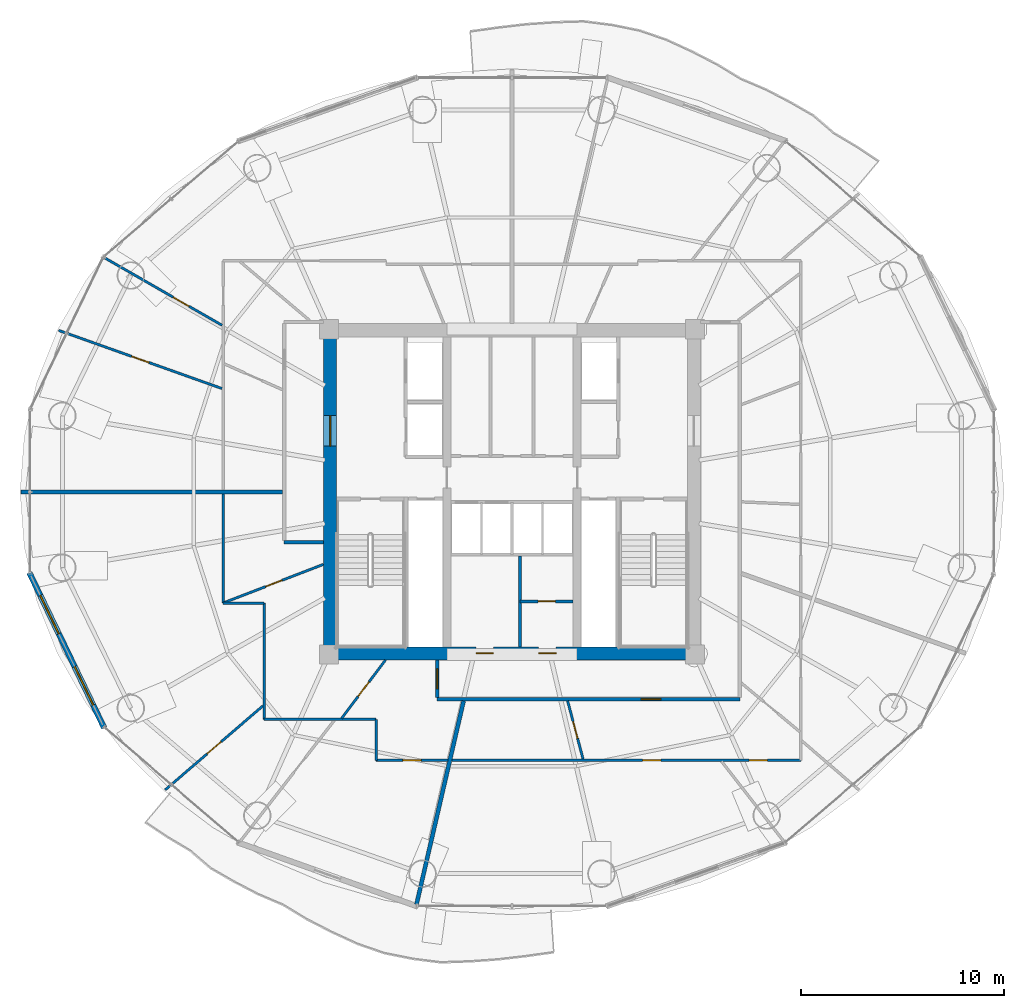
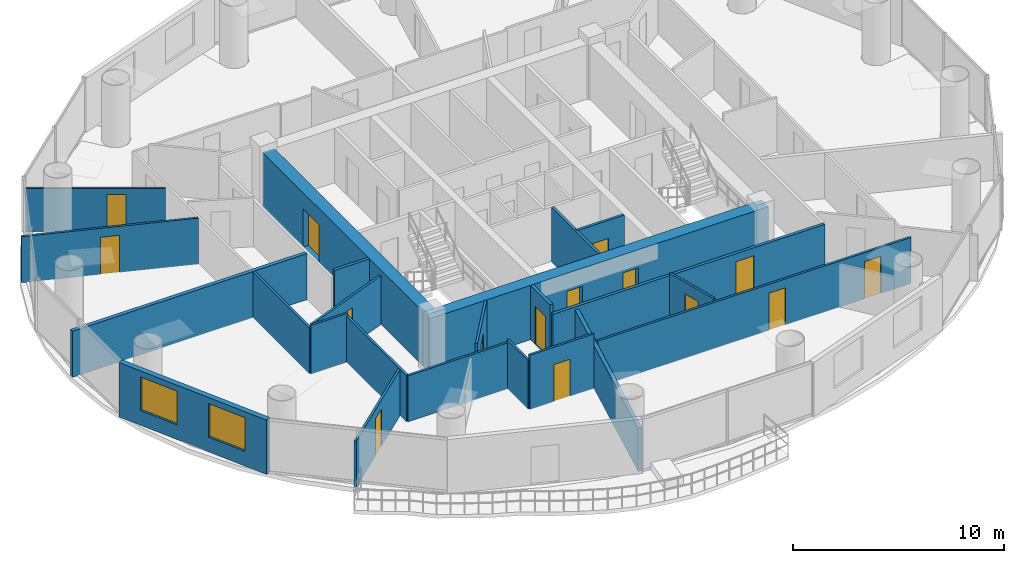
# One storey, part 20 of 26: 23 walls, 15 doors, 2 windows, 17 openings.
"""IFC4 building model written with IfcOpenShell, lengths in metres."""

from ifc_helpers import new_model, si_unit, direction, frame, frame_2d, origin, place, context, subcontext, project, spatial, rectangle, extrude, source, transform, mapped, material, layer, layer_set, type_object, element, fill, save


model = new_model("IFC4")

# Units and contexts
model_context = context("Model", 3, precision=1e-05, world=origin(), true_north=direction((-0.2419218956, 0.970295726276)))
body_context = subcontext(model_context, "Body", "Model", "MODEL_VIEW")
ifc_project = project(units=[si_unit("LENGTHUNIT", "METRE"), si_unit("AREAUNIT", "SQUARE_METRE"), si_unit("VOLUMEUNIT", "CUBIC_METRE"), si_unit("PLANEANGLEUNIT", "RADIAN"), si_unit("MASSUNIT", "GRAM", prefix="KILO")], contexts=[model_context])

# Site, building, storey
site_placement = place(None, origin())
site = spatial("IfcSite", under=ifc_project, at=site_placement, CompositionType="ELEMENT")
building_placement = place(site_placement, origin())
building = spatial("IfcBuilding", under=site, at=building_placement, Name="Cobrevalo Terracotta Tower", CompositionType="ELEMENT")
storey_placement = place(building_placement, frame((0.0, 0.0, 182.199951171875)))
storey = spatial("IfcBuildingStorey", under=building, at=storey_placement, Name="L48", CompositionType="ELEMENT", Elevation=182.199951171875)

# Wall, openings, doors
ifc_material_1 = material(Name="Concrete C55", Category="concrete")
ifc_layer_1 = layer(ifc_material_1, 0.64990234375)
ifc_layer_set_1 = layer_set([ifc_layer_1], Name="Concrete C55")
wall_type_1 = type_object("IfcWallType", Name="Core shear wall 650 mm Concrete C55", PredefinedType="SHEAR", material=ifc_layer_set_1)
wall_1_placement = place(storey_placement, frame((28.72509765625, 18.85009765625, 0.0), z_axis=(0.0, 0.0, 1.0), x_axis=(1.0, 0.0, 0.0)))
wall_1 = element("IfcWall", 1, at=wall_1_placement, inside=storey, type_object=wall_type_1, Name="L48 south core shear wall", PredefinedType="SHEAR", context=body_context, shape_type="SweptSolid", body=[
    extrude(rectangle(XDim=18.5498046875, YDim=0.64990234375, at=frame_2d((9.27490234375, 0.0))), origin(), (0.0, 0.0, 1.0), 3.150146484375),
])
opening_1_placement = place(wall_1_placement, frame((7.510009765625, 0.0, 0.0)))
opening_1 = element("IfcOpeningElement", 2, at=opening_1_placement, cuts=wall_1, Name="Opening ID-22", PredefinedType="OPENING", context=body_context, shape_type="SweptSolid", body=[
    extrude(rectangle(XDim=0.85009765625, YDim=2.10009765625, at=frame_2d((0.425048828125, 1.050048828125))), frame((0.0, 0.3349609375, 0.0), z_axis=(0.0, -1.0, 0.0), x_axis=(1.0, 0.0, 0.0)), (0.0, 0.0, 1.0), 0.669921875),
])
opening_2_placement = place(wall_1_placement, frame((10.590087890625, 0.0, 0.0)))
opening_2 = element("IfcOpeningElement", 3, at=opening_2_placement, cuts=wall_1, Name="Opening ID-22", PredefinedType="OPENING", context=body_context, shape_type="SweptSolid", body=[
    extrude(rectangle(XDim=0.85009765625, YDim=2.10009765625, at=frame_2d((0.425048828125, 1.050048828125))), frame((0.0, 0.3349609375, 0.0), z_axis=(0.0, -1.0, 0.0), x_axis=(1.0, 0.0, 0.0)), (0.0, 0.0, 1.0), 0.669921875),
])
ifc_material_2 = material(Name="Powder-coated steel", Category="steel")
door_type_1 = type_object("IfcDoorType", Name="Riser shaft & meter closet fire access door 850x2100 EI 60", OperationType="NOTDEFINED", PredefinedType="DOOR", material=ifc_material_2)
shared_shape_1 = source(origin(), body_context, "Body", "SweptSolid", [
    extrude(rectangle(XDim=0.85009765625, YDim=2.10009765625, at=frame_2d((0.425048828125, 1.050048828125))), frame((0.0, 0.02490234375, 0.0), z_axis=(0.0, -1.0, 0.0), x_axis=(1.0, 0.0, 0.0)), (0.0, 0.0, 1.0), 0.050048828125),
])
door_1_placement = place(opening_1_placement, origin())
door_1 = element("IfcDoor", 4, at=door_1_placement, inside=storey, type_object=door_type_1, Name="L48 core south plant door Floor AHU Mechanical Plant", OperationType="SINGLE_SWING_RIGHT", OverallHeight=2.10009765625, OverallWidth=0.85009765625, PredefinedType="DOOR", context=body_context, shape_type="MappedRepresentation", body=[
    mapped(shared_shape_1, transform((0.0, 0.0, 0.0), scale=1.0)),
])
fill(opening_1, door_1)
door_2_placement = place(opening_2_placement, origin())
door_2 = element("IfcDoor", 5, at=door_2_placement, inside=storey, type_object=door_type_1, Name="L48 core south plant door Sprinkler Valve Plant", OperationType="SINGLE_SWING_RIGHT", OverallHeight=2.10009765625, OverallWidth=0.85009765625, PredefinedType="DOOR", context=body_context, shape_type="MappedRepresentation", body=[
    mapped(shared_shape_1, transform((0.0, 0.0, 0.0), scale=1.0)),
])
fill(opening_2, door_2)

# Wall, opening, door
wall_2_placement = place(storey_placement, frame((29.050048828125, 19.175048828125, 0.0), z_axis=(0.0, 0.0, 1.0), x_axis=(0.0, 1.0, 0.0)))
wall_2 = element("IfcWall", 6, at=wall_2_placement, inside=storey, type_object=wall_type_1, Name="L48 west core shear wall", PredefinedType="SHEAR", context=body_context, shape_type="SweptSolid", body=[
    extrude(rectangle(XDim=15.25, YDim=0.64990234375, at=frame_2d((7.625, 0.0))), origin(), (0.0, 0.0, 1.0), 3.150146484375),
])
opening_3_placement = place(wall_2_placement, frame((9.875, 0.0, 0.0)))
opening_3 = element("IfcOpeningElement", 7, at=opening_3_placement, cuts=wall_2, Name="Opening ID-14", PredefinedType="OPENING", context=body_context, shape_type="SweptSolid", body=[
    extrude(rectangle(XDim=1.5, YDim=2.199951171875, at=frame_2d((0.75, 1.10009765625))), frame((0.0, 0.3349609375, 0.0), z_axis=(0.0, -1.0, 0.0), x_axis=(1.0, 0.0, 0.0)), (0.0, 0.0, 1.0), 0.669921875),
])
ifc_material_3 = material(Name="Galvanized fire-rated steel", Category="steel")
door_type_2 = type_object("IfcDoorType", Name="Core cross-lobby double fire door 1500x2200 EI 90", OperationType="NOTDEFINED", PredefinedType="DOOR", material=ifc_material_3)
shared_shape_2 = source(origin(), body_context, "Body", "SweptSolid", [
    extrude(rectangle(XDim=1.5, YDim=2.199951171875, at=frame_2d((0.75, 1.10009765625))), frame((0.0, 0.02490234375, 0.0), z_axis=(0.0, -1.0, 0.0), x_axis=(1.0, 0.0, 0.0)), (0.0, 0.0, 1.0), 0.050048828125),
])
door_3_placement = place(opening_3_placement, origin())
door_3 = element("IfcDoor", 8, at=door_3_placement, inside=storey, type_object=door_type_2, Name="L48 west firefighting lobby entrance door", OperationType="DOUBLE_DOOR_SINGLE_SWING", OverallHeight=2.199951171875, OverallWidth=1.5, PredefinedType="DOOR", context=body_context, shape_type="MappedRepresentation", body=[
    mapped(shared_shape_2, transform((0.0, 0.0, 0.0), scale=1.0)),
])
fill(opening_3, door_3)

# Wall
ifc_material_4 = material(Name="Gypsum board on steel stud", Category="steel")
ifc_layer_2 = layer(ifc_material_4, 0.159912109375)
ifc_layer_set_2 = layer_set([ifc_layer_2], Name="Gypsum board on steel stud")
wall_type_2 = type_object("IfcWallType", Name="Fire-rated corridor acoustic partition wall 160 mm", PredefinedType="PARTITIONING", material=ifc_layer_set_2)
wall_3_placement = place(storey_placement, frame((26.794921875, 24.320068359375, 0.0), z_axis=(0.0, 0.0, 1.0), x_axis=(1.0, 0.0, 0.0)))
element("IfcWall", 9, at=wall_3_placement, inside=storey, type_object=wall_type_2, Name="L48 interior partition IW-L48-COR-WS-CAP", PredefinedType="PARTITIONING", context=body_context, shape_type="SweptSolid", body=[
    extrude(rectangle(XDim=1.93017578125, YDim=0.159912109375, at=frame_2d((0.965087890625, 0.0))), origin(), (0.0, 0.0, 1.0), 3.150146484375),
])

# Wall, opening, door
wall_4_placement = place(storey_placement, frame((34.320068359375, 16.594970703125, 0.0), z_axis=(0.0, 0.0, 1.0), x_axis=(1.0, 0.0, 0.0)))
wall_4 = element("IfcWall", 10, at=wall_4_placement, inside=storey, type_object=wall_type_2, Name="L48 interior partition IW-L48-COR-S", PredefinedType="PARTITIONING", context=body_context, shape_type="SweptSolid", body=[
    extrude(rectangle(XDim=14.885009765625, YDim=0.159912109375, at=frame_2d((7.4423828125, 0.0))), origin(), (0.0, 0.0, 1.0), 2.666015625),
])
opening_4_placement = place(wall_4_placement, frame((10.02587890625, 0.0, 0.0)))
opening_4 = element("IfcOpeningElement", 11, at=opening_4_placement, cuts=wall_4, Name="Opening ID-05", PredefinedType="OPENING", context=body_context, shape_type="SweptSolid", body=[
    extrude(rectangle(XDim=0.97998046875, YDim=2.199951171875, at=frame_2d((0.489990234375, 1.10009765625))), frame((0.0, 0.08984375, 0.0), z_axis=(0.0, -1.0, 0.0), x_axis=(1.0, 0.0, 0.0)), (0.0, 0.0, 1.0), 0.179931640625),
])
ifc_material_5 = material(Name="Solid hardwood timber", Category="wood")
door_type_3 = type_object("IfcDoorType", Name="Residence entrance fire-rated acoustic timber door 980x2200 EI 60", OperationType="NOTDEFINED", PredefinedType="DOOR", material=ifc_material_5)
shared_shape_3 = source(origin(), body_context, "Body", "SweptSolid", [
    extrude(rectangle(XDim=0.97998046875, YDim=2.199951171875, at=frame_2d((0.489990234375, 1.10009765625))), frame((0.0, 0.02490234375, 0.0), z_axis=(0.0, -1.0, 0.0), x_axis=(1.0, 0.0, 0.0)), (0.0, 0.0, 1.0), 0.050048828125),
])
door_4_placement = place(opening_4_placement, frame((0.97998046875, 0.0, 0.0), z_axis=(0.0, 0.0, 1.0), x_axis=(-1.0, 0.0, 0.0)))
door_4 = element("IfcDoor", 12, at=door_4_placement, inside=storey, type_object=door_type_3, Name="Flat L48D fire-rated apartment entrance door", OperationType="SINGLE_SWING_LEFT", OverallHeight=2.199951171875, OverallWidth=0.97998046875, PredefinedType="DOOR", context=body_context, shape_type="MappedRepresentation", body=[
    mapped(shared_shape_3, transform((0.0, 0.0, 0.0), scale=1.0)),
])
fill(opening_4, door_4)

wall_5_placement = place(storey_placement, frame((34.320068359375, 16.675048828125, 0.0), z_axis=(0.0, 0.0, 1.0), x_axis=(0.0, 1.0, 0.0)))
wall_5 = element("IfcWall", 13, at=wall_5_placement, inside=storey, type_object=wall_type_2, Name="L48 interior partition IW-L48-COR-SW-CAP", PredefinedType="PARTITIONING", context=body_context, shape_type="SweptSolid", body=[
    extrude(rectangle(XDim=1.849853515625, YDim=0.159912109375, at=frame_2d((0.9248046875, 0.0))), origin(), (0.0, 0.0, 1.0), 3.150146484375),
])
opening_5_placement = place(wall_5_placement, frame((0.43505859375, 0.0, 0.0)))
opening_5 = element("IfcOpeningElement", 14, at=opening_5_placement, cuts=wall_5, Name="Opening ID-05", PredefinedType="OPENING", context=body_context, shape_type="SweptSolid", body=[
    extrude(rectangle(XDim=0.97998046875, YDim=2.199951171875, at=frame_2d((0.489990234375, 1.10009765625))), frame((0.0, 0.08984375, 0.0), z_axis=(0.0, -1.0, 0.0), x_axis=(1.0, 0.0, 0.0)), (0.0, 0.0, 1.0), 0.179931640625),
])
door_5_placement = place(opening_5_placement, origin())
door_5 = element("IfcDoor", 15, at=door_5_placement, inside=storey, type_object=door_type_3, Name="Flat L48C fire-rated apartment entrance door", OperationType="SINGLE_SWING_LEFT", OverallHeight=2.199951171875, OverallWidth=0.97998046875, PredefinedType="DOOR", context=body_context, shape_type="MappedRepresentation", body=[
    mapped(shared_shape_3, transform((0.0, 0.0, 0.0), scale=1.0)),
])
fill(opening_5, door_5)

# Walls
ifc_material_6 = material(Name="Autoclaved aerated concrete block", Category="concrete")
ifc_layer_3 = layer(ifc_material_6, 0.199951171875)
ifc_layer_set_3 = layer_set([ifc_layer_3], Name="Autoclaved aerated concrete block")
wall_type_3 = type_object("IfcWallType", Name="Fire-rated stair, shaft & demising masonry wall 200 mm", PredefinedType="PARTITIONING", material=ifc_layer_set_3)
wall_6_placement = place(storey_placement, frame((26.715087890625, 26.800048828125, 0.0), z_axis=(0.0, 0.0, 1.0), x_axis=(-1.0, 0.0, 0.0)))
element("IfcWall", 16, at=wall_6_placement, inside=storey, type_object=wall_type_3, Name="L48 interior partition IW-L48-DEM-3", PredefinedType="PARTITIONING", context=body_context, shape_type="SweptSolid", body=[
    extrude(rectangle(XDim=12.85498046875, YDim=0.199951171875, at=frame_2d((6.427490234375, 0.0))), origin(), (0.0, 0.0, 1.0), 2.666015625),
])
wall_7_placement = place(storey_placement, frame((35.619873046875, 16.514892578125, 0.0), z_axis=(0.0, 0.0, 1.0), x_axis=(-0.225473598067, -0.974249278457, 0.0)))
element("IfcWall", 17, at=wall_7_placement, inside=storey, type_object=wall_type_3, Name="L48 interior partition IW-L48-DEM-4", PredefinedType="PARTITIONING", context=body_context, shape_type="SweptSolid", body=[
    extrude(rectangle(XDim=10.27783203125, YDim=0.199951171875, at=frame_2d((5.138916015625, 0.0))), origin(), (0.0, 0.0, 1.0), 2.5),
])

# Wall, openings, windows
ifc_layer_4 = layer(ifc_material_6, 0.280029296875)
ifc_layer_set_4 = layer_set([ifc_layer_4], Name="Autoclaved aerated concrete block")
wall_type_4 = type_object("IfcWallType", Name="Insulated tower spandrel & pier wall 280 mm with terracotta rainscreen", PredefinedType="SOLIDWALL", material=ifc_layer_set_4)
wall_8_placement = place(storey_placement, frame((14.259765625, 22.820068359375, 0.0), z_axis=(0.0, 0.0, 1.0), x_axis=(0.434209827226, -0.900811759437, 0.0)))
wall_8 = element("IfcWall", 18, at=wall_8_placement, inside=storey, type_object=wall_type_4, Name="L48 terracotta rainscreen pier wall S09", PredefinedType="SOLIDWALL", context=body_context, shape_type="SweptSolid", body=[
    extrude(rectangle(XDim=8.4716796875, YDim=0.280029296875, at=frame_2d((4.23583984375, 0.0))), origin(), (0.0, 0.0, 1.0), 3.150146484375),
])
opening_6_placement = place(wall_8_placement, frame((1.2373046875, 0.0, 0.85009765625)))
opening_6 = element("IfcOpeningElement", 19, at=opening_6_placement, cuts=wall_8, Name="Opening WN-10", PredefinedType="OPENING", context=body_context, shape_type="SweptSolid", body=[
    extrude(rectangle(XDim=2.10009765625, YDim=1.949951171875, at=frame_2d((1.050048828125, 0.97509765625))), frame((0.0, 0.14990234375, 0.0), z_axis=(0.0, -1.0, 0.0), x_axis=(1.0, 0.0, 0.0)), (0.0, 0.0, 1.0), 0.300048828125),
])
opening_7_placement = place(wall_8_placement, frame((5.13427734375, 0.0, 0.85009765625)))
opening_7 = element("IfcOpeningElement", 20, at=opening_7_placement, cuts=wall_8, Name="Opening WN-10", PredefinedType="OPENING", context=body_context, shape_type="SweptSolid", body=[
    extrude(rectangle(XDim=2.10009765625, YDim=1.949951171875, at=frame_2d((1.050048828125, 0.97509765625))), frame((0.0, 0.14990234375, 0.0), z_axis=(0.0, -1.0, 0.0), x_axis=(1.0, 0.0, 0.0)), (0.0, 0.0, 1.0), 0.300048828125),
])
ifc_material_7 = material(Name="Solar-control low-E double glazing", Category="glass")
window_type = type_object("IfcWindowType", Name="Wide panoramic low-E aluminium window 2100x1950", PartitioningType="SINGLE_PANEL", PredefinedType="WINDOW", material=ifc_material_7)
shared_shape_4 = source(origin(), body_context, "Body", "SweptSolid", [
    extrude(rectangle(XDim=2.10009765625, YDim=1.949951171875, at=frame_2d((1.050048828125, 0.97509765625))), frame((0.0, 0.030029296875, 0.0), z_axis=(0.0, -1.0, 0.0), x_axis=(1.0, 0.0, 0.0)), (0.0, 0.0, 1.0), 0.06005859375),
])
window_1_placement = place(opening_6_placement, origin())
window_1 = element("IfcWindow", 21, at=window_1_placement, inside=storey, type_object=window_type, Name="L48 suite window S09A", OverallHeight=1.949951171875, OverallWidth=2.10009765625, PartitioningType="SINGLE_PANEL", PredefinedType="WINDOW", context=body_context, shape_type="MappedRepresentation", body=[
    mapped(shared_shape_4, transform((0.0, 0.0, 0.0), scale=1.0)),
])
fill(opening_6, window_1)
window_2_placement = place(opening_7_placement, origin())
window_2 = element("IfcWindow", 22, at=window_2_placement, inside=storey, type_object=window_type, Name="L48 suite window S09B", OverallHeight=1.949951171875, OverallWidth=2.10009765625, PartitioningType="SINGLE_PANEL", PredefinedType="WINDOW", context=body_context, shape_type="MappedRepresentation", body=[
    mapped(shared_shape_4, transform((0.0, 0.0, 0.0), scale=1.0)),
])
fill(opening_7, window_2)

# Wall
ifc_layer_5 = layer(ifc_material_6, 0.139892578125)
ifc_layer_set_5 = layer_set([ifc_layer_5], Name="Autoclaved aerated concrete block")
wall_type_5 = type_object("IfcWallType", Name="Moisture-resistant wet-room & core service partition 140 mm", PredefinedType="PARTITIONING", material=ifc_layer_set_5)
wall_9_placement = place(storey_placement, frame((38.39990234375, 19.175048828125, 0.0), z_axis=(0.0, 0.0, 1.0), x_axis=(0.0, 1.0, 0.0)))
element("IfcWall", 23, at=wall_9_placement, inside=storey, type_object=wall_type_5, Name="L48 interior partition IW-L48-KVS-L1", PredefinedType="PARTITIONING", context=body_context, shape_type="SweptSolid", body=[
    extrude(rectangle(XDim=4.46484375, YDim=0.139892578125, at=frame_2d((2.232421875, 0.0))), origin(), (0.0, 0.0, 1.0), 3.150146484375),
])

# Wall, opening, door
wall_10_placement = place(storey_placement, frame((38.39990234375, 21.407470703125, 0.0), z_axis=(0.0, 0.0, 1.0), x_axis=(1.0, 0.0, 0.0)))
wall_10 = element("IfcWall", 24, at=wall_10_placement, inside=storey, type_object=wall_type_5, Name="L48 interior partition IW-L48-KVS-L2", PredefinedType="PARTITIONING", context=body_context, shape_type="SweptSolid", body=[
    extrude(rectangle(XDim=2.610107421875, YDim=0.139892578125, at=frame_2d((1.30517578125, 0.0))), origin(), (0.0, 0.0, 1.0), 3.150146484375),
])
opening_8_placement = place(wall_10_placement, frame((0.8798828125, 0.0, 0.0)))
opening_8 = element("IfcOpeningElement", 25, at=opening_8_placement, cuts=wall_10, Name="Opening ID-22", PredefinedType="OPENING", context=body_context, shape_type="SweptSolid", body=[
    extrude(rectangle(XDim=0.85009765625, YDim=2.10009765625, at=frame_2d((0.425048828125, 1.050048828125))), frame((0.0, 0.080078125, 0.0), z_axis=(0.0, -1.0, 0.0), x_axis=(1.0, 0.0, 0.0)), (0.0, 0.0, 1.0), 0.159912109375),
])
door_6_placement = place(opening_8_placement, origin())
door_6 = element("IfcDoor", 26, at=door_6_placement, inside=storey, type_object=door_type_1, Name="L48 core KVS-L2 inner door", OperationType="SINGLE_SWING_LEFT", OverallHeight=2.10009765625, OverallWidth=0.85009765625, PredefinedType="DOOR", context=body_context, shape_type="MappedRepresentation", body=[
    mapped(shared_shape_1, transform((0.0, 0.0, 0.0), scale=1.0)),
])
fill(opening_8, door_6)

ifc_layer_6 = layer(ifc_material_4, 0.1201171875)
ifc_layer_set_6 = layer_set([ifc_layer_6], Name="Gypsum board on steel stud")
wall_type_6 = type_object("IfcWallType", Name="Residential internal acoustic stud partition 120 mm", PredefinedType="PARTITIONING", material=ifc_layer_set_6)
wall_11_placement = place(storey_placement, frame((23.7412109375, 34.98876953125, 0.0), z_axis=(0.0, 0.0, 1.0), x_axis=(-0.867167953258, 0.498015803808, 0.0)))
wall_11 = element("IfcWall", 27, at=wall_11_placement, inside=storey, type_object=wall_type_6, Name="L48 interior partition IW-L48-U2-ORAD1", PredefinedType="PARTITIONING", context=body_context, shape_type="SweptSolid", body=[
    extrude(rectangle(XDim=6.64990234375, YDim=0.1201171875, at=frame_2d((3.324951171875, 0.0))), origin(), (0.0, 0.0, 1.0), 2.5),
])
opening_9_placement = place(wall_11_placement, frame((1.872802734375, 0.0, 0.0)))
opening_9 = element("IfcOpeningElement", 28, at=opening_9_placement, cuts=wall_11, Name="Opening ID-12", PredefinedType="OPENING", context=body_context, shape_type="SweptSolid", body=[
    extrude(rectangle(XDim=0.89990234375, YDim=2.14990234375, at=frame_2d((0.449951171875, 1.074951171875))), frame((0.0, 0.070068359375, 0.0), z_axis=(0.0, -1.0, 0.0), x_axis=(1.0, 0.0, 0.0)), (0.0, 0.0, 1.0), 0.14013671875),
])
ifc_material_8 = material(Name="Engineered timber", Category="wood")
door_type_4 = type_object("IfcDoorType", Name="Internal residence & suite timber door 900x2150", OperationType="NOTDEFINED", PredefinedType="DOOR", material=ifc_material_8)
shared_shape_5 = source(origin(), body_context, "Body", "SweptSolid", [
    extrude(rectangle(XDim=0.89990234375, YDim=2.14990234375, at=frame_2d((0.449951171875, 1.074951171875))), frame((0.0, 0.02490234375, 0.0), z_axis=(0.0, -1.0, 0.0), x_axis=(1.0, 0.0, 0.0)), (0.0, 0.0, 1.0), 0.050048828125),
])
door_7_placement = place(opening_9_placement, origin())
door_7 = element("IfcDoor", 29, at=door_7_placement, inside=storey, type_object=door_type_4, Name="Flat L48B Master Bedroom internal door", OperationType="SINGLE_SWING_RIGHT", OverallHeight=2.14990234375, OverallWidth=0.89990234375, PredefinedType="DOOR", context=body_context, shape_type="MappedRepresentation", body=[
    mapped(shared_shape_5, transform((0.0, 0.0, 0.0), scale=1.0)),
])
fill(opening_9, door_7)

wall_12_placement = place(storey_placement, frame((23.736572265625, 31.8779296875, 0.0), z_axis=(0.0, 0.0, 1.0), x_axis=(-0.942071057968, 0.335413359512, 0.0)))
wall_12 = element("IfcWall", 30, at=wall_12_placement, inside=storey, type_object=wall_type_6, Name="L48 interior partition IW-L48-U2-ORAD2M1", PredefinedType="PARTITIONING", context=body_context, shape_type="SweptSolid", body=[
    extrude(rectangle(XDim=8.530029296875, YDim=0.1201171875, at=frame_2d((4.26513671875, 0.0))), origin(), (0.0, 0.0, 1.0), 2.666015625),
])
opening_10_placement = place(wall_12_placement, frame((3.815185546875, 0.0, 0.0)))
opening_10 = element("IfcOpeningElement", 31, at=opening_10_placement, cuts=wall_12, Name="Opening ID-12", PredefinedType="OPENING", context=body_context, shape_type="SweptSolid", body=[
    extrude(rectangle(XDim=0.89990234375, YDim=2.14990234375, at=frame_2d((0.449951171875, 1.074951171875))), frame((0.0, 0.070068359375, 0.0), z_axis=(0.0, -1.0, 0.0), x_axis=(1.0, 0.0, 0.0)), (0.0, 0.0, 1.0), 0.14013671875),
])
door_8_placement = place(opening_10_placement, origin())
door_8 = element("IfcDoor", 32, at=door_8_placement, inside=storey, type_object=door_type_4, Name="Flat L48B Penthouse Family Lounge internal door", OperationType="SINGLE_SWING_RIGHT", OverallHeight=2.14990234375, OverallWidth=0.89990234375, PredefinedType="DOOR", context=body_context, shape_type="MappedRepresentation", body=[
    mapped(shared_shape_5, transform((0.0, 0.0, 0.0), scale=1.0)),
])
fill(opening_10, door_8)

wall_13_placement = place(storey_placement, frame((34.842041015625, 13.594970703125, 0.0), z_axis=(0.0, 0.0, 1.0), x_axis=(-1.0, 0.0, 0.0)))
wall_13 = element("IfcWall", 33, at=wall_13_placement, inside=storey, type_object=wall_type_6, Name="L48 interior partition IW-L48-U3-RING0_0", PredefinedType="PARTITIONING", context=body_context, shape_type="SweptSolid", body=[
    extrude(rectangle(XDim=3.52197265625, YDim=0.1201171875, at=frame_2d((1.760986328125, 0.0))), origin(), (0.0, 0.0, 1.0), 3.150146484375),
])
opening_11_placement = place(wall_13_placement, frame((1.31103515625, 0.0, 0.0)))
opening_11 = element("IfcOpeningElement", 34, at=opening_11_placement, cuts=wall_13, Name="Opening ID-12", PredefinedType="OPENING", context=body_context, shape_type="SweptSolid", body=[
    extrude(rectangle(XDim=0.89990234375, YDim=2.14990234375, at=frame_2d((0.449951171875, 1.074951171875))), frame((0.0, 0.070068359375, 0.0), z_axis=(0.0, -1.0, 0.0), x_axis=(1.0, 0.0, 0.0)), (0.0, 0.0, 1.0), 0.14013671875),
])
door_9_placement = place(opening_11_placement, origin())
door_9 = element("IfcDoor", 35, at=door_9_placement, inside=storey, type_object=door_type_4, Name="Flat L48C Penthouse Family Lounge internal door", OperationType="SINGLE_SWING_RIGHT", OverallHeight=2.14990234375, OverallWidth=0.89990234375, PredefinedType="DOOR", context=body_context, shape_type="MappedRepresentation", body=[
    mapped(shared_shape_5, transform((0.0, 0.0, 0.0), scale=1.0)),
])
fill(opening_11, door_9)

# Walls
wall_14_placement = place(storey_placement, frame((31.320068359375, 13.594970703125, 0.0), z_axis=(0.0, 0.0, 1.0), x_axis=(0.0, 1.0, 0.0)))
element("IfcWall", 36, at=wall_14_placement, inside=storey, type_object=wall_type_6, Name="L48 interior partition IW-L48-U3-RING1_0", PredefinedType="PARTITIONING", context=body_context, shape_type="SweptSolid", body=[
    extrude(rectangle(XDim=2.010009765625, YDim=0.1201171875, at=frame_2d((1.0048828125, 0.0))), origin(), (0.0, 0.0, 1.0), 2.824951171875),
])
wall_15_placement = place(storey_placement, frame((31.320068359375, 15.60498046875, 0.0), z_axis=(0.0, 0.0, 1.0), x_axis=(-1.0, 0.0, 0.0)))
element("IfcWall", 37, at=wall_15_placement, inside=storey, type_object=wall_type_6, Name="L48 interior partition IW-L48-U3-RING2_0", PredefinedType="PARTITIONING", context=body_context, shape_type="SweptSolid", body=[
    extrude(rectangle(XDim=5.51513671875, YDim=0.1201171875, at=frame_2d((2.757568359375, 0.0))), origin(), (0.0, 0.0, 1.0), 2.666015625),
])
wall_16_placement = place(storey_placement, frame((25.804931640625, 15.60498046875, 0.0), z_axis=(0.0, 0.0, 1.0), x_axis=(0.0, 1.0, 0.0)))
element("IfcWall", 38, at=wall_16_placement, inside=storey, type_object=wall_type_6, Name="L48 interior partition IW-L48-U3-RING3_0", PredefinedType="PARTITIONING", context=body_context, shape_type="SweptSolid", body=[
    extrude(rectangle(XDim=5.715087890625, YDim=0.1201171875, at=frame_2d((2.857421875, 0.0))), origin(), (0.0, 0.0, 1.0), 2.666015625),
])
wall_17_placement = place(storey_placement, frame((25.804931640625, 21.320068359375, 0.0), z_axis=(0.0, 0.0, 1.0), x_axis=(-1.0, 0.0, 0.0)))
element("IfcWall", 39, at=wall_17_placement, inside=storey, type_object=wall_type_6, Name="L48 interior partition IW-L48-U3-RING4_0", PredefinedType="PARTITIONING", context=body_context, shape_type="SweptSolid", body=[
    extrude(rectangle(XDim=2.010009765625, YDim=0.1201171875, at=frame_2d((1.0048828125, 0.0))), origin(), (0.0, 0.0, 1.0), 2.824951171875),
])
wall_18_placement = place(storey_placement, frame((23.794921875, 21.320068359375, 0.0), z_axis=(0.0, 0.0, 1.0), x_axis=(0.0, 1.0, 0.0)))
element("IfcWall", 40, at=wall_18_placement, inside=storey, type_object=wall_type_6, Name="L48 interior partition IW-L48-U3-RING5_0", PredefinedType="PARTITIONING", context=body_context, shape_type="SweptSolid", body=[
    extrude(rectangle(XDim=5.3779296875, YDim=0.1201171875, at=frame_2d((2.68896484375, 0.0))), origin(), (0.0, 0.0, 1.0), 2.666015625),
])

# Wall, opening, door
wall_19_placement = place(storey_placement, frame((25.758056640625, 16.27783203125, 0.0), z_axis=(0.0, 0.0, 1.0), x_axis=(-0.758374994665, -0.651818508073, 0.0)))
wall_19 = element("IfcWall", 41, at=wall_19_placement, inside=storey, type_object=wall_type_6, Name="L48 interior partition IW-L48-U3-ORAD1", PredefinedType="PARTITIONING", context=body_context, shape_type="SweptSolid", body=[
    extrude(rectangle(XDim=6.358154296875, YDim=0.1201171875, at=frame_2d((3.17919921875, 0.0))), origin(), (0.0, 0.0, 1.0), 2.666015625),
])
opening_12_placement = place(wall_19_placement, frame((2.72900390625, 0.0, 0.0)))
opening_12 = element("IfcOpeningElement", 42, at=opening_12_placement, cuts=wall_19, Name="Opening ID-12", PredefinedType="OPENING", context=body_context, shape_type="SweptSolid", body=[
    extrude(rectangle(XDim=0.89990234375, YDim=2.14990234375, at=frame_2d((0.449951171875, 1.074951171875))), frame((0.0, 0.070068359375, 0.0), z_axis=(0.0, -1.0, 0.0), x_axis=(1.0, 0.0, 0.0)), (0.0, 0.0, 1.0), 0.14013671875),
])
door_10_placement = place(opening_12_placement, frame((0.89990234375, 0.0, 0.0), z_axis=(0.0, 0.0, 1.0), x_axis=(-1.0, 0.0, 0.0)))
door_10 = element("IfcDoor", 43, at=door_10_placement, inside=storey, type_object=door_type_4, Name="Flat L48C Penthouse Living and Dining Room internal door", OperationType="SINGLE_SWING_RIGHT", OverallHeight=2.14990234375, OverallWidth=0.89990234375, PredefinedType="DOOR", context=body_context, shape_type="MappedRepresentation", body=[
    mapped(shared_shape_5, transform((0.0, 0.0, 0.0), scale=1.0)),
])
fill(opening_12, door_10)

wall_20_placement = place(storey_placement, frame((28.72314453125, 23.229248046875, 0.0), z_axis=(0.0, 0.0, 1.0), x_axis=(-0.933262385607, -0.359195378048, 0.0)))
wall_20 = element("IfcWall", 44, at=wall_20_placement, inside=storey, type_object=wall_type_6, Name="L48 interior partition IW-L48-U3-IRAD1", PredefinedType="PARTITIONING", context=body_context, shape_type="SweptSolid", body=[
    extrude(rectangle(XDim=5.21875, YDim=0.1201171875, at=frame_2d((2.609375, 0.0))), origin(), (0.0, 0.0, 1.0), 2.824951171875),
])
opening_13_placement = place(wall_20_placement, frame((2.17919921875, 0.0, 0.0)))
opening_13 = element("IfcOpeningElement", 45, at=opening_13_placement, cuts=wall_20, Name="Opening ID-19", PredefinedType="OPENING", context=body_context, shape_type="SweptSolid", body=[
    extrude(rectangle(XDim=0.860107421875, YDim=2.14990234375, at=frame_2d((0.43017578125, 1.074951171875))), frame((0.0, 0.070068359375, 0.0), z_axis=(0.0, -1.0, 0.0), x_axis=(1.0, 0.0, 0.0)), (0.0, 0.0, 1.0), 0.14013671875),
])
ifc_material_9 = material(Name="Moisture-sealed timber", Category="wood")
door_type_5 = type_object("IfcDoorType", Name="Suite bathroom internal timber door 860x2150", OperationType="NOTDEFINED", PredefinedType="DOOR", material=ifc_material_9)
shared_shape_6 = source(origin(), body_context, "Body", "SweptSolid", [
    extrude(rectangle(XDim=0.860107421875, YDim=2.14990234375, at=frame_2d((0.43017578125, 1.074951171875))), frame((0.0, 0.02490234375, 0.0), z_axis=(0.0, -1.0, 0.0), x_axis=(1.0, 0.0, 0.0)), (0.0, 0.0, 1.0), 0.050048828125),
])
door_11_placement = place(opening_13_placement, frame((0.860107421875, 0.0, 0.0), z_axis=(0.0, 0.0, 1.0), x_axis=(-1.0, 0.0, 0.0)))
door_11 = element("IfcDoor", 46, at=door_11_placement, inside=storey, type_object=door_type_5, Name="Flat L48C Primary Bathroom internal door", OperationType="SINGLE_SWING_LEFT", OverallHeight=2.14990234375, OverallWidth=0.860107421875, PredefinedType="DOOR", context=body_context, shape_type="MappedRepresentation", body=[
    mapped(shared_shape_6, transform((0.0, 0.0, 0.0), scale=1.0)),
])
fill(opening_13, door_11)

wall_21_placement = place(storey_placement, frame((31.776611328125, 18.52490234375, 0.0), z_axis=(0.0, 0.0, 1.0), x_axis=(-0.601054484551, -0.799208049635, 0.0)))
wall_21 = element("IfcWall", 47, at=wall_21_placement, inside=storey, type_object=wall_type_6, Name="L48 interior partition IW-L48-U3-IRAD2", PredefinedType="PARTITIONING", context=body_context, shape_type="SweptSolid", body=[
    extrude(rectangle(XDim=3.591552734375, YDim=0.1201171875, at=frame_2d((1.7958984375, 0.0))), origin(), (0.0, 0.0, 1.0), 3.150146484375),
])
opening_14_placement = place(wall_21_placement, frame((1.345703125, 0.0, 0.0)))
opening_14 = element("IfcOpeningElement", 48, at=opening_14_placement, cuts=wall_21, Name="Opening ID-12", PredefinedType="OPENING", context=body_context, shape_type="SweptSolid", body=[
    extrude(rectangle(XDim=0.89990234375, YDim=2.14990234375, at=frame_2d((0.449951171875, 1.074951171875))), frame((0.0, 0.070068359375, 0.0), z_axis=(0.0, -1.0, 0.0), x_axis=(1.0, 0.0, 0.0)), (0.0, 0.0, 1.0), 0.14013671875),
])
door_12_placement = place(opening_14_placement, frame((0.89990234375, 0.0, 0.0), z_axis=(0.0, 0.0, 1.0), x_axis=(-1.0, 0.0, 0.0)))
door_12 = element("IfcDoor", 49, at=door_12_placement, inside=storey, type_object=door_type_4, Name="Flat L48C Reception Hallway internal door", OperationType="SINGLE_SWING_LEFT", OverallHeight=2.14990234375, OverallWidth=0.89990234375, PredefinedType="DOOR", context=body_context, shape_type="MappedRepresentation", body=[
    mapped(shared_shape_5, transform((0.0, 0.0, 0.0), scale=1.0)),
])
fill(opening_14, door_12)

# Wall, openings, doors
wall_22_placement = place(storey_placement, frame((52.205078125, 13.594970703125, 0.0), z_axis=(0.0, 0.0, 1.0), x_axis=(-1.0, 0.0, 0.0)))
wall_22 = element("IfcWall", 50, at=wall_22_placement, inside=storey, type_object=wall_type_6, Name="L48 interior partition IW-L48-U4-RING1_0", PredefinedType="PARTITIONING", context=body_context, shape_type="SweptSolid", body=[
    extrude(rectangle(XDim=17.1591796875, YDim=0.1201171875, at=frame_2d((8.57958984375, 0.0))), origin(), (0.0, 0.0, 1.0), 2.666015625),
])
opening_15_placement = place(wall_22_placement, frame((6.878662109375, 0.0, 0.0)))
opening_15 = element("IfcOpeningElement", 51, at=opening_15_placement, cuts=wall_22, Name="Opening ID-12", PredefinedType="OPENING", context=body_context, shape_type="SweptSolid", body=[
    extrude(rectangle(XDim=0.89990234375, YDim=2.14990234375, at=frame_2d((0.449951171875, 1.074951171875))), frame((0.0, 0.070068359375, 0.0), z_axis=(0.0, -1.0, 0.0), x_axis=(1.0, 0.0, 0.0)), (0.0, 0.0, 1.0), 0.14013671875),
])
opening_16_placement = place(wall_22_placement, frame((1.6396484375, 0.0, 0.0)))
opening_16 = element("IfcOpeningElement", 52, at=opening_16_placement, cuts=wall_22, Name="Opening ID-12", PredefinedType="OPENING", context=body_context, shape_type="SweptSolid", body=[
    extrude(rectangle(XDim=0.89990234375, YDim=2.14990234375, at=frame_2d((0.449951171875, 1.074951171875))), frame((0.0, 0.070068359375, 0.0), z_axis=(0.0, -1.0, 0.0), x_axis=(1.0, 0.0, 0.0)), (0.0, 0.0, 1.0), 0.14013671875),
])
door_13_placement = place(opening_15_placement, origin())
door_13 = element("IfcDoor", 53, at=door_13_placement, inside=storey, type_object=door_type_4, Name="Flat L48D Penthouse Living and Dining Room internal door", OperationType="SINGLE_SWING_LEFT", OverallHeight=2.14990234375, OverallWidth=0.89990234375, PredefinedType="DOOR", context=body_context, shape_type="MappedRepresentation", body=[
    mapped(shared_shape_5, transform((0.0, 0.0, 0.0), scale=1.0)),
])
fill(opening_15, door_13)
door_14_placement = place(opening_16_placement, origin())
door_14 = element("IfcDoor", 54, at=door_14_placement, inside=storey, type_object=door_type_4, Name="Flat L48D Master Bedroom internal door", OperationType="SINGLE_SWING_RIGHT", OverallHeight=2.14990234375, OverallWidth=0.89990234375, PredefinedType="DOOR", context=body_context, shape_type="MappedRepresentation", body=[
    mapped(shared_shape_5, transform((0.0, 0.0, 0.0), scale=1.0)),
])
fill(opening_16, door_14)

# Wall, opening, door
wall_23_placement = place(storey_placement, frame((40.73486328125, 16.514892578125, 0.0), z_axis=(0.0, 0.0, 1.0), x_axis=(0.256989915822, -0.966414084731, 0.0)))
wall_23 = element("IfcWall", 55, at=wall_23_placement, inside=storey, type_object=wall_type_6, Name="L48 interior partition IW-L48-U4-IRAD1", PredefinedType="PARTITIONING", context=body_context, shape_type="SweptSolid", body=[
    extrude(rectangle(XDim=2.959228515625, YDim=0.1201171875, at=frame_2d((1.4794921875, 0.0))), origin(), (0.0, 0.0, 1.0), 2.824951171875),
])
opening_17_placement = place(wall_23_placement, frame((1.0498046875, 0.0, 0.0)))
opening_17 = element("IfcOpeningElement", 56, at=opening_17_placement, cuts=wall_23, Name="Opening ID-19", PredefinedType="OPENING", context=body_context, shape_type="SweptSolid", body=[
    extrude(rectangle(XDim=0.860107421875, YDim=2.14990234375, at=frame_2d((0.43017578125, 1.074951171875))), frame((0.0, 0.070068359375, 0.0), z_axis=(0.0, -1.0, 0.0), x_axis=(1.0, 0.0, 0.0)), (0.0, 0.0, 1.0), 0.14013671875),
])
door_15_placement = place(opening_17_placement, frame((0.860107421875, 0.0, 0.0), z_axis=(0.0, 0.0, 1.0), x_axis=(-1.0, 0.0, 0.0)))
door_15 = element("IfcDoor", 57, at=door_15_placement, inside=storey, type_object=door_type_5, Name="Flat L48D Primary Bathroom internal door", OperationType="SINGLE_SWING_RIGHT", OverallHeight=2.14990234375, OverallWidth=0.860107421875, PredefinedType="DOOR", context=body_context, shape_type="MappedRepresentation", body=[
    mapped(shared_shape_6, transform((0.0, 0.0, 0.0), scale=1.0)),
])
fill(opening_17, door_15)

save(model, "model.ifc")
